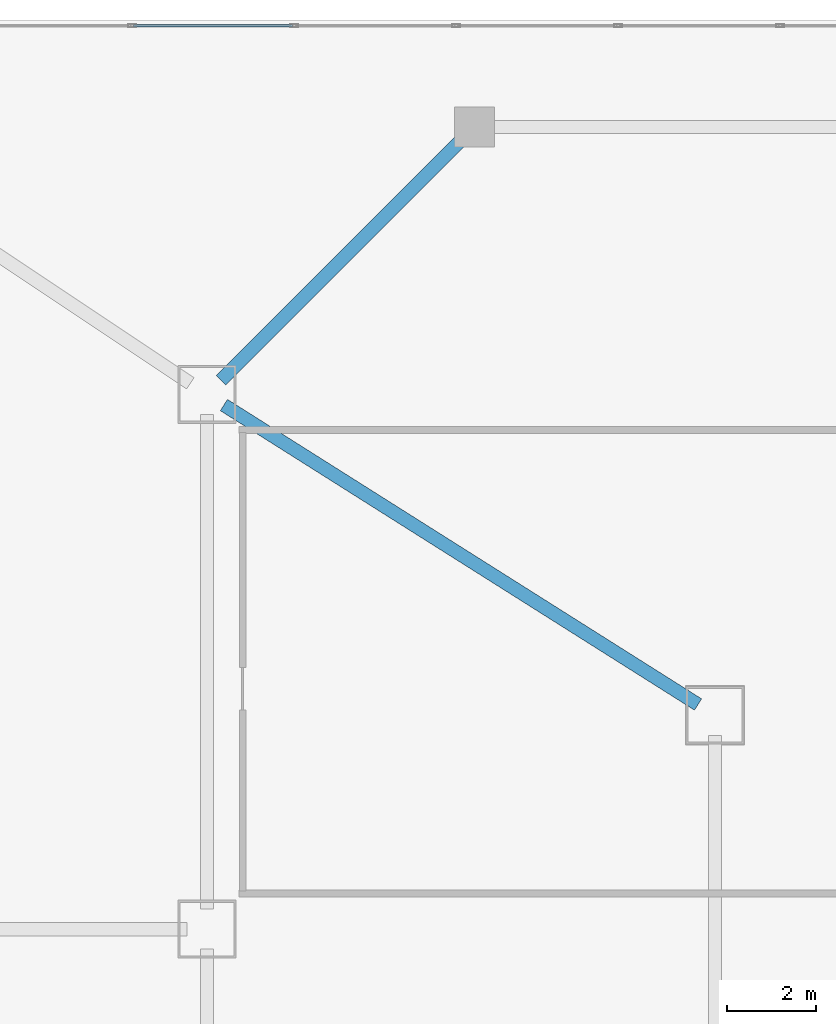
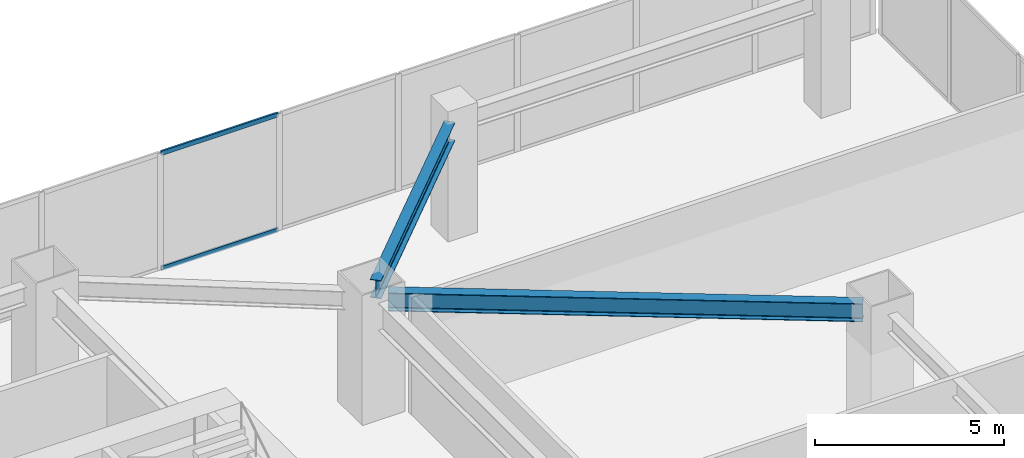
# One storey, part 17 of 32: 2 beams, 2 members, 1 element without a shape of its own.
"""IFC4 building model written with IfcOpenShell, lengths in metres."""

import ifcopenshell
import ifcopenshell.guid

model = None  # the IFC model being written
_history = None  # IfcOwnerHistory: only IFC2X3 demands one
_inside = {}  # id of a spatial element -> (the spatial element, [elements in it])
_under = {}  # id of a project, library or spatial element -> (it, [spatial elements below it])
_declared = {}  # id of a project -> (the project, [libraries it declares])
_typed = {}  # id of a type object -> (the type object, [elements of that type])
_made_of = {}  # id of a material, layer set ... -> (it, [elements and type objects made of it])


def new_model(schema):
    """Start an empty IFC model of exactly this schema.

    Asked for "IFC4X3", IfcOpenShell would pick the latest addendum, in which some entities
    have other attributes; the version numbers below select the first issue.
    IFC2X3 requires an IfcOwnerHistory on every rooted entity: one is made here for all.
    """
    global model, _history
    if schema == "IFC4X3":
        model = ifcopenshell.file(schema_version=(4, 3, 0, 0))
    else:
        model = ifcopenshell.file(schema=schema)
    _inside.clear()
    _under.clear()
    _declared.clear()
    _typed.clear()
    _made_of.clear()
    _history = None
    if model.schema == "IFC2X3":
        org = make("IfcOrganization", Name="unknown")
        user = make(
            "IfcPersonAndOrganization",
            ThePerson=make("IfcPerson", FamilyName="unknown"),
            TheOrganization=org,
        )
        app = make(
            "IfcApplication",
            ApplicationDeveloper=org,
            Version="unknown",
            ApplicationFullName="unknown",
            ApplicationIdentifier="unknown",
        )
        _history = make(
            "IfcOwnerHistory",
            OwningUser=user,
            OwningApplication=app,
            ChangeAction="ADDED",
            CreationDate=0,
        )
    return model


def make(cls, **values):
    """One entity of the class cls with the attributes given. An attribute that is None is left unset."""
    return model.create_entity(
        cls, **{name: value for name, value in values.items() if value is not None}
    )


def rooted(cls, **values):
    """An entity with a GlobalId (a new one), such as an element, a storey or a relation."""
    return make(cls, GlobalId=ifcopenshell.guid.new(), OwnerHistory=_history, **values)


def si_unit(unit_type, name, prefix=None):
    """IfcSIUnit, for example si_unit("LENGTHUNIT", "METRE", prefix="MILLI")."""
    return make("IfcSIUnit", UnitType=unit_type, Prefix=prefix, Name=name)


def assignment(units):
    """IfcUnitAssignment: the units of a project."""
    return None if units is None else make("IfcUnitAssignment", Units=units)


def point(xyz):
    """IfcCartesianPoint."""
    return None if xyz is None else make("IfcCartesianPoint", Coordinates=xyz)


def direction(xyz):
    """IfcDirection."""
    return None if xyz is None else make("IfcDirection", DirectionRatios=xyz)


def frame(location, z_axis=None, x_axis=None):
    """IfcAxis2Placement3D, a coordinate frame: its origin and axes. An axis left out is left unset."""
    return make(
        "IfcAxis2Placement3D",
        Location=point(location),
        Axis=direction(z_axis),
        RefDirection=direction(x_axis),
    )


def frame_2d(location, x_axis=None):
    """IfcAxis2Placement2D, a coordinate frame in the plane: its origin and x axis."""
    return make(
        "IfcAxis2Placement2D", Location=point(location), RefDirection=direction(x_axis)
    )


def origin():
    """The frame at (0, 0, 0) with its axes left unset."""
    return frame((0.0, 0.0, 0.0))


def origin_2d():
    """The frame at (0, 0) in the plane with its x axis left unset."""
    return frame_2d((0.0, 0.0))


def place(relative_to, where):
    """IfcLocalPlacement: puts the frame where relative to a parent placement (None: the world)."""
    return make(
        "IfcLocalPlacement", PlacementRelTo=relative_to, RelativePlacement=where
    )


def context(
    kind, dimensions, precision=None, world=None, true_north=None, identifier=None
):
    """IfcGeometricRepresentationContext, for example the 3D "Model" context."""
    return make(
        "IfcGeometricRepresentationContext",
        ContextIdentifier=identifier,
        ContextType=kind,
        CoordinateSpaceDimension=dimensions,
        Precision=precision,
        WorldCoordinateSystem=world,
        TrueNorth=true_north,
    )


def subcontext(parent, identifier, kind, view, scale=None):
    """IfcGeometricRepresentationSubContext, for example "Body" below "Model"."""
    return make(
        "IfcGeometricRepresentationSubContext",
        ContextIdentifier=identifier,
        ContextType=kind,
        ParentContext=parent,
        TargetScale=scale,
        TargetView=view,
    )


def project(units=None, contexts=None):
    """IfcProject with its units and contexts."""
    return rooted(
        "IfcProject",
        Name="project",
        RepresentationContexts=contexts,
        UnitsInContext=assignment(units),
    )


def spatial(cls, under=None, at=None, **own):
    """A site, building, storey or space (cls), placed at a placement, below another one or the project."""
    s = rooted(cls, ObjectPlacement=at, **own)
    if under is not None:
        _under.setdefault(under.id(), (under, []))[1].append(s)
    return s


def profile(cls, at=None, kind="AREA", **sizes):
    """A parametric profile (cls). Its sizes go by their IFC names, for example OverallWidth=200.0."""
    return make(cls, ProfileType=kind, Position=at, **sizes)


def hollow_rectangle(**sizes):
    """IfcRectangleHollowProfileDef."""
    return profile("IfcRectangleHollowProfileDef", **sizes)


def i_section(**sizes):
    """IfcIShapeProfileDef."""
    return profile("IfcIShapeProfileDef", **sizes)


def extrude(swept, where, along, depth):
    """IfcExtrudedAreaSolid: the profile swept, set in the frame where, extruded along a direction by depth."""
    return make(
        "IfcExtrudedAreaSolid",
        SweptArea=swept,
        Position=where,
        ExtrudedDirection=direction(along),
        Depth=depth,
    )


def shape(context_of_items, identifier, shape_type, items):
    """IfcShapeRepresentation: the items that make up one representation, for example the "Body"."""
    return make(
        "IfcShapeRepresentation",
        ContextOfItems=context_of_items,
        RepresentationIdentifier=identifier,
        RepresentationType=shape_type,
        Items=items,
    )


def material(Name=None, Category=None):
    """IfcMaterial."""
    return make("IfcMaterial", Name=Name, Category=Category)


def layer(
    of_material, thickness, ventilated=None, Name=None, Category=None, Priority=None
):
    """IfcMaterialLayer: one layer of a wall or slab, of a material (None: an air gap)."""
    return make(
        "IfcMaterialLayer",
        Material=of_material,
        LayerThickness=thickness,
        IsVentilated=ventilated,
        Name=Name,
        Category=Category,
        Priority=Priority,
    )


def layer_set(layers, Name=None):
    """IfcMaterialLayerSet."""
    return make("IfcMaterialLayerSet", MaterialLayers=layers, LayerSetName=Name)


def material_profile(
    of_material, cross_section, Name=None, Category=None, Priority=None
):
    """IfcMaterialProfile: a cross section and its material."""
    return make(
        "IfcMaterialProfile",
        Name=Name,
        Material=of_material,
        Profile=cross_section,
        Priority=Priority,
        Category=Category,
    )


def profile_set(profiles, Name=None, composite=None):
    """IfcMaterialProfileSet."""
    return make(
        "IfcMaterialProfileSet",
        Name=Name,
        MaterialProfiles=profiles,
        CompositeProfile=composite,
    )


def made_of(thing, what):
    """Note that an element or type object is made of a material, layer set ...; save() writes the relation."""
    if what is not None:
        _made_of.setdefault(what.id(), (what, []))[1].append(thing)
    return thing


def type_object(cls, material=None, **own):
    """A type object (cls), such as IfcWallType, which elements share."""
    return made_of(rooted(cls, **own), material)


def element(
    cls,
    number,
    at=None,
    inside=None,
    cuts=None,
    type_object=None,
    material=None,
    context=None,
    identifier="Body",
    shape_type=None,
    held_by="IfcProductDefinitionShape",
    body=None,
    shapes=None,
    **own,
):
    """One element of the class cls, such as IfcWall. Its Tag is "e" and its number.

    at: its placement. inside: the storey or other place that contains it. cuts: it is an
    opening in that element (IfcRelVoidsElement). A single representation is given by context,
    identifier, shape_type and body (its items); several are given by shapes. held_by: the class
    of the entity that holds the representations. save() writes the other relations.
    """
    e = rooted(cls, Tag="e%d" % number, ObjectPlacement=at, **own)
    if body is not None:
        shapes = [shape(context, identifier, shape_type, body)]
    if shapes is not None:
        e.Representation = make(held_by, Representations=shapes)
    if inside is not None:
        _inside.setdefault(inside.id(), (inside, []))[1].append(e)
    if cuts is not None:
        rooted(
            "IfcRelVoidsElement", RelatingBuildingElement=cuts, RelatedOpeningElement=e
        )
    if type_object is not None:
        _typed.setdefault(type_object.id(), (type_object, []))[1].append(e)
    return made_of(e, material)


def aggregate(whole, parts):
    """IfcRelAggregates: a whole, such as a stair, and the parts it consists of."""
    return rooted("IfcRelAggregates", RelatingObject=whole, RelatedObjects=parts)


def save(model, path):
    """Write the relations noted so far, then the file.

    IfcRelAggregates (storeys below a building ...), IfcRelContainedInSpatialStructure (elements
    in a storey), IfcRelDefinesByType, IfcRelAssociatesMaterial and IfcRelDeclares: one each for
    every whole, place, type object, material and project.
    """
    for whole, parts in _under.values():
        aggregate(whole, parts)
    for where, things in _inside.values():
        rooted(
            "IfcRelContainedInSpatialStructure",
            RelatedElements=things,
            RelatingStructure=where,
        )
    for kind, things in _typed.values():
        rooted("IfcRelDefinesByType", RelatedObjects=things, RelatingType=kind)
    for what, things in _made_of.values():
        rooted("IfcRelAssociatesMaterial", RelatedObjects=things, RelatingMaterial=what)
    for by, libraries in _declared.values():
        rooted("IfcRelDeclares", RelatingContext=by, RelatedDefinitions=libraries)
    model.write(path)


model = new_model("IFC4")

# Units and contexts
model_context = context("Model", 3, precision=1e-05, world=origin(), true_north=direction((0.0, 1.0)))
body_context = subcontext(model_context, "Body", "Model", "MODEL_VIEW")
ifc_project = project(units=[si_unit("LENGTHUNIT", "METRE"), si_unit("AREAUNIT", "SQUARE_METRE"), si_unit("VOLUMEUNIT", "CUBIC_METRE"), si_unit("PLANEANGLEUNIT", "RADIAN"), si_unit("MASSUNIT", "GRAM", prefix="KILO")], contexts=[model_context])

# Site, building, storey
site_placement = place(None, origin())
site = spatial("IfcSite", under=ifc_project, at=site_placement, CompositionType="ELEMENT")
building_placement = place(site_placement, origin())
building = spatial("IfcBuilding", under=site, at=building_placement, Name="Haolan Belvedere Tower", CompositionType="ELEMENT")
storey_placement = place(building_placement, frame((0.0, 0.0, 15.60009765625)))
storey = spatial("IfcBuildingStorey", under=building, at=storey_placement, Name="L03", CompositionType="ELEMENT", Elevation=15.60009765625)

# Beams
ifc_material_1 = material(Name="Steel Q355B", Category="steel")
ifc_material_profile_1 = material_profile(ifc_material_1, i_section(OverallWidth=0.300048828125, OverallDepth=0.587890625, WebThickness=0.011962890625, FlangeThickness=0.02001953125, FilletRadius=0.028076171875, at=origin_2d()), Name="Steel Q355B")
ifc_profile_set_1 = profile_set([ifc_material_profile_1], Name="Steel Q355B")
beam_type = type_object("IfcBeamType", Name="BM-HM588x300x12x20", PredefinedType="SPANDREL", material=ifc_profile_set_1)
beam_1_placement = place(storey_placement, frame((53.180419921875, 45.359619140625, 3.48583984375), z_axis=(0.845497201575, -0.5339798518, 0.0), x_axis=(0.5339798518, 0.845497201575, 0.0)))
element("IfcBeam", 1, at=beam_1_placement, inside=storey, type_object=beam_type, Name="L03 spandrel girder MC-T3-NE-MC-T4-NE", PredefinedType="SPANDREL", context=body_context, shape_type="SweptSolid", body=[
    extrude(i_section(OverallWidth=0.300048828125, OverallDepth=0.587890625, WebThickness=0.011962890625, FlangeThickness=0.02001953125, FilletRadius=0.028076171875, at=origin_2d()), origin(), (0.0, 0.0, 1.0), 12.583251953125),
])
beam_2_placement = place(storey_placement, frame((53.1181640625, 45.918212890625, 3.48583984375), z_axis=(0.707106781187, 0.707106781187, 0.0), x_axis=(-0.707106781187, 0.707106781187, 0.0)))
element("IfcBeam", 2, at=beam_2_placement, inside=storey, type_object=beam_type, Name="L03 spandrel girder MC-T3-NE-PC-NE-1", PredefinedType="SPANDREL", context=body_context, shape_type="SweptSolid", body=[
    extrude(i_section(OverallWidth=0.300048828125, OverallDepth=0.587890625, WebThickness=0.011962890625, FlangeThickness=0.02001953125, FilletRadius=0.028076171875, at=origin_2d()), origin(), (0.0, 0.0, 1.0), 7.585205078125),
])

# Curtain wall, members
ifc_material_2 = material(Name="Anodised champagne-silver aluminium 6063-T6 and Low-E glass", Category="aluminium")
ifc_layer = layer(ifc_material_2, 0.179931640625, Name="Anodised champagne-silver aluminium 6063-T6 and Low-E glass")
ifc_layer_set = layer_set([ifc_layer], Name="Anodised champagne-silver aluminium 6063-T6 and Low-E glass")
curtain_wall_type = type_object("IfcCurtainWallType", Name="CW-SYS-01", PredefinedType="NOTDEFINED", material=ifc_layer_set)
curtain_wall_placement = place(storey_placement, origin())
curtain_wall = element("IfcCurtainWall", 3, at=curtain_wall_placement, inside=storey, type_object=curtain_wall_type, Name="L03 CW-SYS-01 ribbon curtain wall 3.1", PredefinedType="NOTDEFINED")
ifc_material_3 = material(Name="Anodised aluminium 6063-T6", Category="aluminium")
ifc_material_profile_2 = material_profile(ifc_material_3, hollow_rectangle(XDim=0.06005859375, YDim=0.139892578125, WallThickness=0.00390625, at=origin_2d()), Name="Anodised aluminium 6063-T6")
ifc_profile_set_2 = profile_set([ifc_material_profile_2], Name="Anodised aluminium 6063-T6")
member_type = type_object("IfcMemberType", Name="CW-SYS-01-TRN", PredefinedType="USERDEFINED", material=ifc_profile_set_2)
member_1_placement = place(storey_placement, frame((54.723876953125, 53.8701171875, 0.02978515625), z_axis=(-1.0, 0.0, 0.0), x_axis=(0.0, -1.0, 0.0)))
member_1 = element("IfcMember", 4, at=member_1_placement, type_object=member_type, Name="CW-01 transom 6.1", ObjectType="TRANSOM", PredefinedType="USERDEFINED", context=body_context, shape_type="SweptSolid", body=[
    extrude(hollow_rectangle(XDim=0.06005859375, YDim=0.139892578125, WallThickness=0.00390625, at=origin_2d()), origin(), (0.0, 0.0, 1.0), 3.56982421875),
])
member_2_placement = place(storey_placement, frame((54.723876953125, 53.8701171875, 3.75), z_axis=(-1.0, 0.0, 0.0), x_axis=(0.0, -1.0, 0.0)))
member_2 = element("IfcMember", 5, at=member_2_placement, type_object=member_type, Name="CW-01 transom 6.2", ObjectType="TRANSOM", PredefinedType="USERDEFINED", context=body_context, shape_type="SweptSolid", body=[
    extrude(hollow_rectangle(XDim=0.06005859375, YDim=0.139892578125, WallThickness=0.00390625, at=origin_2d()), origin(), (0.0, 0.0, 1.0), 3.56982421875),
])
aggregate(curtain_wall, [member_1, member_2])

save(model, "model.ifc")
